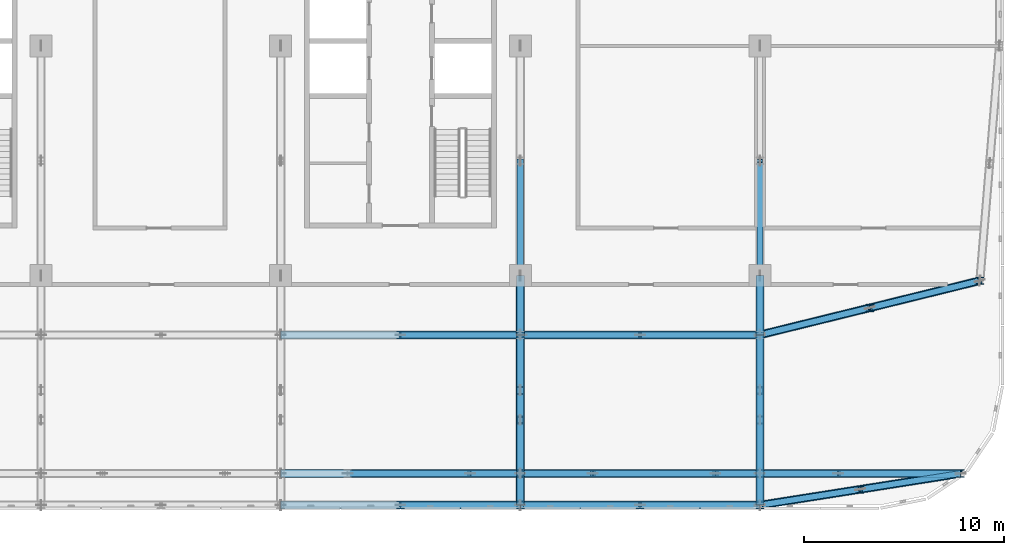
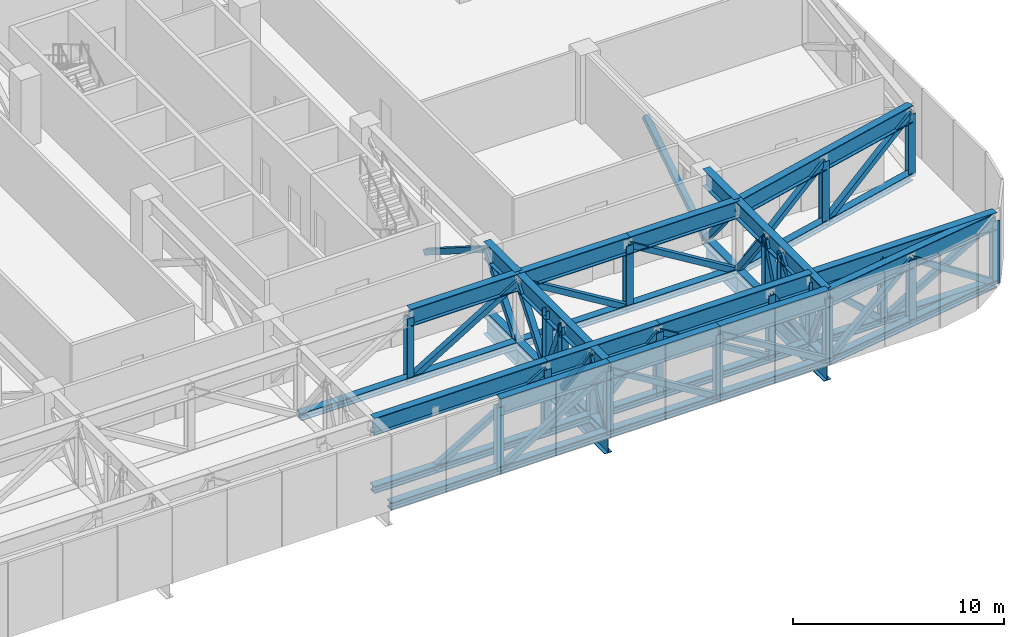
# One storey, part 10 of 28: 78 members, 4 beams.
"""IFC4 building model written with IfcOpenShell, lengths in metres."""

from ifc_helpers import new_model, si_unit, direction, frame, origin, origin_2d, place, context, subcontext, project, spatial, hollow_rectangle, i_section, extrude, material, material_profile, profile_set, type_object, element, save


model = new_model("IFC4")

# Units and contexts
model_context = context("Model", 3, precision=1e-05, world=origin(), true_north=direction((0.0, 1.0)))
body_context = subcontext(model_context, "Body", "Model", "MODEL_VIEW")
ifc_project = project(units=[si_unit("LENGTHUNIT", "METRE"), si_unit("AREAUNIT", "SQUARE_METRE"), si_unit("VOLUMEUNIT", "CUBIC_METRE"), si_unit("PLANEANGLEUNIT", "RADIAN"), si_unit("MASSUNIT", "GRAM", prefix="KILO")], contexts=[model_context])

# Site, building, storey
site_placement = place(None, origin())
site = spatial("IfcSite", under=ifc_project, at=site_placement, CompositionType="ELEMENT")
building_placement = place(site_placement, origin())
building = spatial("IfcBuilding", under=site, at=building_placement, Name="Mahtab Terrace Research Tower", CompositionType="ELEMENT")
storey_placement = place(building_placement, frame((0.0, 0.0, 224.300048828125)))
storey = spatial("IfcBuildingStorey", under=building, at=storey_placement, Name="L54", CompositionType="ELEMENT", Elevation=224.300048828125)

# Members
ifc_material_1 = material(Name="Steel ASTM A500 Gr C", Category="steel")
ifc_material_profile_1 = material_profile(ifc_material_1, hollow_rectangle(XDim=0.3046875, YDim=0.3046875, WallThickness=0.0126953125, at=origin_2d()), Name="HSS12X12X1/2")
ifc_profile_set_1 = profile_set([ifc_material_profile_1], Name="Steel ASTM A500 Gr C")
member_type_1 = type_object("IfcMemberType", Name="HSS 12x12x1/2 brace TD121212", PredefinedType="BRACE", material=ifc_profile_set_1)
member_1_placement = place(storey_placement, frame((21.35400390625, -21.416015625, -0.18798828125), z_axis=(0.8598181713, 0.0, 0.510600344989), x_axis=(0.0, 1.0, 0.0)))
element("IfcMember", 1, at=member_1_placement, inside=storey, type_object=member_type_1, Name="Transfer truss T6 diagonal 103", PredefinedType="BRACE", context=body_context, shape_type="SweptSolid", body=[
    extrude(hollow_rectangle(XDim=0.3046875, YDim=0.3046875, WallThickness=0.0126953125, at=origin_2d()), origin(), (0.0, 0.0, 1.0), 7.1435546875),
])
member_2_placement = place(storey_placement, frame((24.0, -14.472900390625, -0.18798828125), z_axis=(0.854496522168, 0.0, 0.519457114306), x_axis=(0.0, 1.0, 0.0)))
element("IfcMember", 2, at=member_2_placement, inside=storey, type_object=member_type_1, Name="Transfer truss T6 diagonal 105", PredefinedType="BRACE", context=body_context, shape_type="SweptSolid", body=[
    extrude(hollow_rectangle(XDim=0.3046875, YDim=0.3046875, WallThickness=0.0126953125, at=origin_2d()), origin(), (0.0, 0.0, 1.0), 7.021728515625),
])
member_3_placement = place(storey_placement, frame((27.49609375, -21.416015625, -0.18798828125), z_axis=(0.565957242152, 0.0, 0.824434594165), x_axis=(0.0, 1.0, 0.0)))
element("IfcMember", 3, at=member_3_placement, inside=storey, type_object=member_type_1, Name="Transfer truss T6 diagonal 107", PredefinedType="BRACE", context=body_context, shape_type="SweptSolid", body=[
    extrude(hollow_rectangle(XDim=0.3046875, YDim=0.3046875, WallThickness=0.0126953125, at=origin_2d()), origin(), (0.0, 0.0, 1.0), 4.42431640625),
])
member_4_placement = place(storey_placement, frame((24.0, -23.0, -0.18798828125), z_axis=(0.854496522168, 0.0, 0.519457114306), x_axis=(0.0, 1.0, 0.0)))
element("IfcMember", 4, at=member_4_placement, inside=storey, type_object=member_type_1, Name="Transfer truss T6 diagonal 108", PredefinedType="BRACE", context=body_context, shape_type="SweptSolid", body=[
    extrude(hollow_rectangle(XDim=0.3046875, YDim=0.3046875, WallThickness=0.0126953125, at=origin_2d()), origin(), (0.0, 0.0, 1.0), 7.021728515625),
])
member_5_placement = place(storey_placement, frame((30.0, -23.0, -0.18798828125), z_axis=(0.0, 0.398330959805, 0.917241760094), x_axis=(-1.0, 0.0, 0.0)))
element("IfcMember", 5, at=member_5_placement, inside=storey, type_object=member_type_1, Name="Transfer truss T6 diagonal 109", PredefinedType="BRACE", context=body_context, shape_type="SweptSolid", body=[
    extrude(hollow_rectangle(XDim=0.3046875, YDim=0.3046875, WallThickness=0.0126953125, at=origin_2d()), origin(), (0.0, 0.0, 1.0), 3.9765625),
])
member_6_placement = place(storey_placement, frame((30.0, -18.736083984375, -0.18798828125), z_axis=(0.0, -0.5921000261, 0.805864479359), x_axis=(1.0, 0.0, 0.0)))
element("IfcMember", 6, at=member_6_placement, inside=storey, type_object=member_type_1, Name="Transfer truss T6 diagonal 110", PredefinedType="BRACE", context=body_context, shape_type="SweptSolid", body=[
    extrude(hollow_rectangle(XDim=0.3046875, YDim=0.3046875, WallThickness=0.0126953125, at=origin_2d()), origin(), (0.0, 0.0, 1.0), 4.526123046875),
])
member_7_placement = place(storey_placement, frame((30.0, -21.416015625, -0.18798828125), z_axis=(0.706086991338, 0.0, 0.70812510241), x_axis=(0.0, 1.0, 0.0)))
element("IfcMember", 7, at=member_7_placement, inside=storey, type_object=member_type_1, Name="Transfer truss T6 diagonal 111", PredefinedType="BRACE", context=body_context, shape_type="SweptSolid", body=[
    extrude(hollow_rectangle(XDim=0.3046875, YDim=0.3046875, WallThickness=0.0126953125, at=origin_2d()), origin(), (0.0, 0.0, 1.0), 5.15087890625),
])
member_8_placement = place(storey_placement, frame((30.0, -17.25, -0.18798828125), z_axis=(0.0, -0.377314608222, 0.926085139943), x_axis=(1.0, 0.0, 0.0)))
element("IfcMember", 8, at=member_8_placement, inside=storey, type_object=member_type_1, Name="Transfer truss T6 diagonal 112", PredefinedType="BRACE", context=body_context, shape_type="SweptSolid", body=[
    extrude(hollow_rectangle(XDim=0.3046875, YDim=0.3046875, WallThickness=0.0126953125, at=origin_2d()), origin(), (0.0, 0.0, 1.0), 3.9384765625),
])
member_9_placement = place(storey_placement, frame((30.0, -17.25, -0.18798828125), z_axis=(0.0, 0.605778433587, 0.795633388817), x_axis=(-1.0, 0.0, 0.0)))
element("IfcMember", 9, at=member_9_placement, inside=storey, type_object=member_type_1, Name="Transfer truss T6 diagonal 113", PredefinedType="BRACE", context=body_context, shape_type="SweptSolid", body=[
    extrude(hollow_rectangle(XDim=0.3046875, YDim=0.3046875, WallThickness=0.0126953125, at=origin_2d()), origin(), (0.0, 0.0, 1.0), 4.584228515625),
])
member_10_placement = place(storey_placement, frame((36.0, -14.472900390625, -0.18798828125), z_axis=(-0.854496522168, 0.0, 0.519457114306), x_axis=(0.0, -1.0, 0.0)))
element("IfcMember", 10, at=member_10_placement, inside=storey, type_object=member_type_1, Name="Transfer truss T6 diagonal 114", PredefinedType="BRACE", context=body_context, shape_type="SweptSolid", body=[
    extrude(hollow_rectangle(XDim=0.3046875, YDim=0.3046875, WallThickness=0.0126953125, at=origin_2d()), origin(), (0.0, 0.0, 1.0), 7.021728515625),
])
member_11_placement = place(storey_placement, frame((30.0, -14.472900390625, -0.18798828125), z_axis=(0.0, 0.631787276537, 0.77514181748), x_axis=(-1.0, 0.0, 0.0)))
element("IfcMember", 11, at=member_11_placement, inside=storey, type_object=member_type_1, Name="Transfer truss T6 diagonal 115", PredefinedType="BRACE", context=body_context, shape_type="SweptSolid", body=[
    extrude(hollow_rectangle(XDim=0.3046875, YDim=0.3046875, WallThickness=0.0126953125, at=origin_2d()), origin(), (0.0, 0.0, 1.0), 4.70556640625),
])
member_12_placement = place(storey_placement, frame((30.0, -5.75, -0.18798828125), z_axis=(0.0, -0.844434215401, 0.535659272168), x_axis=(1.0, 0.0, 0.0)))
element("IfcMember", 12, at=member_12_placement, inside=storey, type_object=member_type_1, Name="Transfer truss T6 diagonal 116", PredefinedType="BRACE", context=body_context, shape_type="SweptSolid", body=[
    extrude(hollow_rectangle(XDim=0.3046875, YDim=0.3046875, WallThickness=0.0126953125, at=origin_2d()), origin(), (0.0, 0.0, 1.0), 6.809326171875),
])
member_13_placement = place(storey_placement, frame((39.779052734375, -21.416015625, -0.18798828125), z_axis=(-0.8598181713, 0.0, 0.510600344989), x_axis=(0.0, -1.0, 0.0)))
element("IfcMember", 13, at=member_13_placement, inside=storey, type_object=member_type_1, Name="Transfer truss T6 diagonal 122", PredefinedType="BRACE", context=body_context, shape_type="SweptSolid", body=[
    extrude(hollow_rectangle(XDim=0.3046875, YDim=0.3046875, WallThickness=0.0126953125, at=origin_2d()), origin(), (0.0, 0.0, 1.0), 7.1435546875),
])
for number, where, z_axis, x_axis, name in (
    (14, (36.0, -23.0, -0.18798828125), (-0.854496522168, 0.0, 0.519457114306), (0.0, -1.0, 0.0), "Transfer truss T6 diagonal 123"),
    (15, (42.0, -14.472900390625, -0.18798828125), (-0.854496522168, 0.0, 0.519457114306), (0.0, -1.0, 0.0), "Transfer truss T6 diagonal 124"),
):
    element("IfcMember", number, at=place(storey_placement, frame(where, z_axis=z_axis, x_axis=x_axis)), inside=storey, type_object=member_type_1, Name=name, PredefinedType="BRACE", context=body_context, shape_type="SweptSolid", body=[
        extrude(hollow_rectangle(XDim=0.3046875, YDim=0.3046875, WallThickness=0.0126953125, at=origin_2d()), origin(), (0.0, 0.0, 1.0), 7.021728515625),
    ])
member_14_placement = place(storey_placement, frame((42.0, -21.416015625, -0.18798828125), z_axis=(-0.520075711539, 0.0, 0.854120163834), x_axis=(0.0, -1.0, 0.0)))
element("IfcMember", 16, at=member_14_placement, inside=storey, type_object=member_type_1, Name="Transfer truss T6 diagonal 126", PredefinedType="BRACE", context=body_context, shape_type="SweptSolid", body=[
    extrude(hollow_rectangle(XDim=0.3046875, YDim=0.3046875, WallThickness=0.0126953125, at=origin_2d()), origin(), (0.0, 0.0, 1.0), 4.2705078125),
])
member_15_placement = place(storey_placement, frame((42.0, -23.0, -0.18798828125), z_axis=(-0.854496522168, 0.0, 0.519457114306), x_axis=(0.0, -1.0, 0.0)))
element("IfcMember", 17, at=member_15_placement, inside=storey, type_object=member_type_1, Name="Transfer truss T6 diagonal 127", PredefinedType="BRACE", context=body_context, shape_type="SweptSolid", body=[
    extrude(hollow_rectangle(XDim=0.3046875, YDim=0.3046875, WallThickness=0.0126953125, at=origin_2d()), origin(), (0.0, 0.0, 1.0), 7.021728515625),
])
member_16_placement = place(storey_placement, frame((42.0, -21.416015625, -0.18798828125), z_axis=(0.0, -0.398330959805, 0.917241760094), x_axis=(1.0, 0.0, 0.0)))
element("IfcMember", 18, at=member_16_placement, inside=storey, type_object=member_type_1, Name="Transfer truss T6 diagonal 128", PredefinedType="BRACE", context=body_context, shape_type="SweptSolid", body=[
    extrude(hollow_rectangle(XDim=0.3046875, YDim=0.3046875, WallThickness=0.0126953125, at=origin_2d()), origin(), (0.0, 0.0, 1.0), 3.9765625),
])
member_17_placement = place(storey_placement, frame((42.0, -21.416015625, -0.18798828125), z_axis=(0.0, 0.5921000261, 0.805864479359), x_axis=(-1.0, 0.0, 0.0)))
element("IfcMember", 19, at=member_17_placement, inside=storey, type_object=member_type_1, Name="Transfer truss T6 diagonal 129", PredefinedType="BRACE", context=body_context, shape_type="SweptSolid", body=[
    extrude(hollow_rectangle(XDim=0.3046875, YDim=0.3046875, WallThickness=0.0126953125, at=origin_2d()), origin(), (0.0, 0.0, 1.0), 4.526123046875),
])
member_18_placement = place(storey_placement, frame((45.919921875, -21.416015625, -0.18798828125), z_axis=(-0.732091546272, 0.0, 0.681206259423), x_axis=(0.0, -1.0, 0.0)))
element("IfcMember", 20, at=member_18_placement, inside=storey, type_object=member_type_1, Name="Transfer truss T6 diagonal 130", PredefinedType="BRACE", context=body_context, shape_type="SweptSolid", body=[
    extrude(hollow_rectangle(XDim=0.3046875, YDim=0.3046875, WallThickness=0.0126953125, at=origin_2d()), origin(), (0.0, 0.0, 1.0), 5.3544921875),
])
member_19_placement = place(storey_placement, frame((42.0, -18.736083984375, -0.18798828125), z_axis=(0.0, 0.377314608222, 0.926085139943), x_axis=(-1.0, 0.0, 0.0)))
element("IfcMember", 21, at=member_19_placement, inside=storey, type_object=member_type_1, Name="Transfer truss T6 diagonal 131", PredefinedType="BRACE", context=body_context, shape_type="SweptSolid", body=[
    extrude(hollow_rectangle(XDim=0.3046875, YDim=0.3046875, WallThickness=0.0126953125, at=origin_2d()), origin(), (0.0, 0.0, 1.0), 3.9384765625),
])
member_20_placement = place(storey_placement, frame((42.0, -14.472900390625, -0.18798828125), z_axis=(0.0, -0.605778433587, 0.795633388817), x_axis=(1.0, 0.0, 0.0)))
element("IfcMember", 22, at=member_20_placement, inside=storey, type_object=member_type_1, Name="Transfer truss T6 diagonal 132", PredefinedType="BRACE", context=body_context, shape_type="SweptSolid", body=[
    extrude(hollow_rectangle(XDim=0.3046875, YDim=0.3046875, WallThickness=0.0126953125, at=origin_2d()), origin(), (0.0, 0.0, 1.0), 4.584228515625),
])
member_21_placement = place(storey_placement, frame((42.0, -14.472900390625, -0.18798828125), z_axis=(0.816857471195, 0.201129394626, 0.540639286743), x_axis=(-0.239082692179, 0.970999210247, 0.0)))
element("IfcMember", 23, at=member_21_placement, inside=storey, type_object=member_type_1, Name="Transfer truss T6 diagonal 133", PredefinedType="BRACE", context=body_context, shape_type="SweptSolid", body=[
    extrude(hollow_rectangle(XDim=0.3046875, YDim=0.3046875, WallThickness=0.0126953125, at=origin_2d()), origin(), (0.0, 0.0, 1.0), 6.74658203125),
])
member_22_placement = place(storey_placement, frame((42.0, -11.5, -0.18798828125), z_axis=(0.0, -0.631787276537, 0.77514181748), x_axis=(1.0, 0.0, 0.0)))
element("IfcMember", 24, at=member_22_placement, inside=storey, type_object=member_type_1, Name="Transfer truss T6 diagonal 134", PredefinedType="BRACE", context=body_context, shape_type="SweptSolid", body=[
    extrude(hollow_rectangle(XDim=0.3046875, YDim=0.3046875, WallThickness=0.0126953125, at=origin_2d()), origin(), (0.0, 0.0, 1.0), 4.70556640625),
])
member_23_placement = place(storey_placement, frame((42.0, -11.5, -0.18798828125), z_axis=(0.0, 0.844434215401, 0.535659272168), x_axis=(-1.0, 0.0, 0.0)))
element("IfcMember", 25, at=member_23_placement, inside=storey, type_object=member_type_1, Name="Transfer truss T6 diagonal 135", PredefinedType="BRACE", context=body_context, shape_type="SweptSolid", body=[
    extrude(hollow_rectangle(XDim=0.3046875, YDim=0.3046875, WallThickness=0.0126953125, at=origin_2d()), origin(), (0.0, 0.0, 1.0), 6.809326171875),
])
member_24_placement = place(storey_placement, frame((45.919921875, -21.416015625, -0.18798828125), z_axis=(0.8598181713, 0.0, 0.510600344989), x_axis=(0.0, 1.0, 0.0)))
element("IfcMember", 26, at=member_24_placement, inside=storey, type_object=member_type_1, Name="Transfer truss T6 diagonal 141", PredefinedType="BRACE", context=body_context, shape_type="SweptSolid", body=[
    extrude(hollow_rectangle(XDim=0.3046875, YDim=0.3046875, WallThickness=0.0126953125, at=origin_2d()), origin(), (0.0, 0.0, 1.0), 7.1435546875),
])
member_25_placement = place(storey_placement, frame((42.0, -23.0, -0.18798828125), z_axis=(0.803115323704, 0.126428209351, 0.582255686715), x_axis=(-0.155507156777, 0.987834765632, 0.0)))
element("IfcMember", 27, at=member_25_placement, inside=storey, type_object=member_type_1, Name="Transfer truss T6 diagonal 142", PredefinedType="BRACE", context=body_context, shape_type="SweptSolid", body=[
    extrude(hollow_rectangle(XDim=0.3046875, YDim=0.3046875, WallThickness=0.0126953125, at=origin_2d()), origin(), (0.0, 0.0, 1.0), 6.264404296875),
])
member_26_placement = place(storey_placement, frame((47.510986328125, -13.115966796875, -0.18798828125), z_axis=(0.816785504932, 0.201292081104, 0.540687467043), x_axis=(-0.239284885489, 0.970949403201, 0.0)))
element("IfcMember", 28, at=member_26_placement, inside=storey, type_object=member_type_1, Name="Transfer truss T6 diagonal 143", PredefinedType="BRACE", context=body_context, shape_type="SweptSolid", body=[
    extrude(hollow_rectangle(XDim=0.3046875, YDim=0.3046875, WallThickness=0.0126953125, at=origin_2d()), origin(), (0.0, 0.0, 1.0), 6.745849609375),
])
member_27_placement = place(storey_placement, frame((52.06201171875, -21.416015625, -0.18798828125), z_axis=(-0.803115323704, -0.126428209351, 0.582255686715), x_axis=(0.155507156777, -0.987834765632, 0.0)))
element("IfcMember", 29, at=member_27_placement, inside=storey, type_object=member_type_1, Name="Transfer truss T6 diagonal 145", PredefinedType="BRACE", context=body_context, shape_type="SweptSolid", body=[
    extrude(hollow_rectangle(XDim=0.3046875, YDim=0.3046875, WallThickness=0.0126953125, at=origin_2d()), origin(), (0.0, 0.0, 1.0), 6.264404296875),
])
ifc_material_2 = material(Name="Steel ASTM A992 Gr 50", Category="steel")
ifc_material_profile_2 = material_profile(ifc_material_2, i_section(OverallWidth=0.373291015625, OverallDepth=0.373291015625, WebThickness=0.016357421875, FlangeThickness=0.026123046875, at=origin_2d()), Name="W14X132")
ifc_profile_set_2 = profile_set([ifc_material_profile_2], Name="Steel ASTM A992 Gr 50")
member_type_2 = type_object("IfcMemberType", Name="W14x132 post TP14132", PredefinedType="POST", material=ifc_profile_set_2)
for number, where, z_axis, x_axis, name in (
    (30, (24.0, -23.0, -0.18798828125), (0.0, 0.0, 1.0), (1.0, 0.0, 0.0), "Transfer truss T6 post 094"),
    (31, (24.0, -14.469970703125, -0.18798828125), (0.0, 0.0, 1.0), (1.0, 0.0, 0.0), "Transfer truss T6 post 095"),
    (32, (27.5, -21.419921875, -0.18798828125), (0.0, 0.0, 1.0), (1.0, 0.0, 0.0), "Transfer truss T6 post 097"),
    (33, (30.0, -23.0, -0.18798828125), (0.0, 0.0, 1.0), (1.0, 0.0, 0.0), "Transfer truss T6 post 098"),
    (34, (30.0, -21.419921875, -0.18798828125), (0.0, 0.0, 1.0), (1.0, 0.0, 0.0), "Transfer truss T6 post 099"),
    (35, (30.0, -18.739990234375, -0.18798828125), (0.0, 0.0, 1.0), (1.0, 0.0, 0.0), "Transfer truss T6 post 100"),
    (36, (30.0, -17.25, -0.18798828125), (0.0, 0.0, 1.0), (1.0, 0.0, 0.0), "Transfer truss T6 post 101"),
    (37, (33.639892578125, -21.419921875, -0.18798828125), (0.0, 0.0, 1.0), (1.0, 0.0, 0.0), "Transfer truss T6 post 110"),
    (38, (36.0, -23.0, -0.18798828125), (0.0, 0.0, 1.0), (1.0, 0.0, 0.0), "Transfer truss T6 post 111"),
    (39, (36.0, -14.469970703125, -0.18798828125), (0.0, 0.0, 1.0), (1.0, 0.0, 0.0), "Transfer truss T6 post 112"),
    (40, (39.780029296875, -21.419921875, -0.18798828125), (0.0, 0.0, 1.0), (1.0, 0.0, 0.0), "Transfer truss T6 post 114"),
    (41, (42.0, -23.0, -0.18798828125), (0.0, 0.0, 1.0), (1.0, 0.0, 0.0), "Transfer truss T6 post 115"),
    (42, (42.0, -21.419921875, -0.18798828125), (0.0, 0.0, 1.0), (1.0, 0.0, 0.0), "Transfer truss T6 post 116"),
    (43, (42.0, -18.739990234375, -0.18798828125), (0.0, 0.0, 1.0), (1.0, 0.0, 0.0), "Transfer truss T6 post 117"),
    (44, (42.0, -17.25, -0.18798828125), (0.0, 0.0, 1.0), (1.0, 0.0, 0.0), "Transfer truss T6 post 118"),
    (45, (45.919921875, -21.419921875, -0.18798828125), (0.0, 0.0, 1.0), (1.0, 0.0, 0.0), "Transfer truss T6 post 127"),
    (46, (47.030029296875, -22.2099609375, -0.18798828125), (0.0, 0.0, 1.0), (1.0, 0.0, 0.0), "Transfer truss T6 post 128"),
    (47, (47.510009765625, -13.1201171875, -0.18798828125), (0.0, 0.0, 1.0), (1.0, 0.0, 0.0), "Transfer truss T6 post 129"),
    (48, (52.06005859375, -21.419921875, -0.18798828125), (0.0, 0.0, 1.0), (1.0, 0.0, 0.0), "Transfer truss T6 post 131"),
    (49, (53.02001953125, -11.760009765625, -0.18798828125), (0.0, 0.0, 1.0), (1.0, 0.0, 0.0), "Transfer truss T6 post 132"),
):
    element("IfcMember", number, at=place(storey_placement, frame(where, z_axis=z_axis, x_axis=x_axis)), inside=storey, type_object=member_type_2, Name=name, PredefinedType="POST", context=body_context, shape_type="SweptSolid", body=[
        extrude(i_section(OverallWidth=0.373291015625, OverallDepth=0.373291015625, WebThickness=0.016357421875, FlangeThickness=0.026123046875, at=origin_2d()), origin(), (0.0, 0.0, 1.0), 3.6474609375),
    ])
ifc_material_profile_3 = material_profile(ifc_material_2, i_section(OverallWidth=0.408935546875, OverallDepth=0.42431640625, WebThickness=0.03271484375, FlangeThickness=0.052490234375, at=origin_2d()), Name="W14X283")
ifc_profile_set_3 = profile_set([ifc_material_profile_3], Name="Steel ASTM A992 Gr 50")
member_type_3 = type_object("IfcMemberType", Name="W14x283 chord TC14283", PredefinedType="CHORD", material=ifc_profile_set_3)
for number, where, z_axis, x_axis, name in (
    (50, (18.0, -21.416015625, -0.18798828125), (1.0, 0.0, 0.0), (0.0, 1.0, 0.0), "Transfer truss T6 bottom chord 012"),
    (51, (30.0, -21.416015625, -0.18798828125), (1.0, 0.0, 0.0), (0.0, 1.0, 0.0), "Transfer truss T6 bottom chord 013"),
):
    element("IfcMember", number, at=place(storey_placement, frame(where, z_axis=z_axis, x_axis=x_axis)), inside=storey, type_object=member_type_3, Name=name, PredefinedType="CHORD", context=body_context, shape_type="SweptSolid", body=[
        extrude(i_section(OverallWidth=0.408935546875, OverallDepth=0.42431640625, WebThickness=0.03271484375, FlangeThickness=0.052490234375, at=origin_2d()), origin(), (0.0, 0.0, 1.0), 12.0),
    ])
member_28_placement = place(storey_placement, frame((42.0, -21.416015625, -0.18798828125), z_axis=(1.0, 0.0, 0.0), x_axis=(0.0, 1.0, 0.0)))
element("IfcMember", 52, at=member_28_placement, inside=storey, type_object=member_type_3, Name="Transfer truss T6 bottom chord 014", PredefinedType="CHORD", context=body_context, shape_type="SweptSolid", body=[
    extrude(i_section(OverallWidth=0.408935546875, OverallDepth=0.42431640625, WebThickness=0.03271484375, FlangeThickness=0.052490234375, at=origin_2d()), origin(), (0.0, 0.0, 1.0), 10.06201171875),
])
for number, where, z_axis, x_axis, name in (
    (53, (42.0, -23.0, -0.18798828125), (-1.0, 0.0, 0.0), (0.0, -1.0, 0.0), "Transfer truss T6 bottom chord 019"),
    (54, (30.0, -23.0, -0.18798828125), (-1.0, 0.0, 0.0), (0.0, -1.0, 0.0), "Transfer truss T6 bottom chord 020"),
    (55, (18.0, -14.472900390625, -0.18798828125), (1.0, 0.0, 0.0), (0.0, 1.0, 0.0), "Transfer truss T6 bottom chord 029"),
    (56, (30.0, -14.472900390625, -0.18798828125), (1.0, 0.0, 0.0), (0.0, 1.0, 0.0), "Transfer truss T6 bottom chord 030"),
):
    element("IfcMember", number, at=place(storey_placement, frame(where, z_axis=z_axis, x_axis=x_axis)), inside=storey, type_object=member_type_3, Name=name, PredefinedType="CHORD", context=body_context, shape_type="SweptSolid", body=[
        extrude(i_section(OverallWidth=0.408935546875, OverallDepth=0.42431640625, WebThickness=0.03271484375, FlangeThickness=0.052490234375, at=origin_2d()), origin(), (0.0, 0.0, 1.0), 12.0),
    ])
member_29_placement = place(storey_placement, frame((30.0, -23.0, -0.18798828125), z_axis=(0.0, 1.0, 0.0), x_axis=(-1.0, 0.0, 0.0)))
element("IfcMember", 57, at=member_29_placement, inside=storey, type_object=member_type_3, Name="Transfer truss T6 bottom chord 059", PredefinedType="CHORD", context=body_context, shape_type="SweptSolid", body=[
    extrude(i_section(OverallWidth=0.408935546875, OverallDepth=0.42431640625, WebThickness=0.03271484375, FlangeThickness=0.052490234375, at=origin_2d()), origin(), (0.0, 0.0, 1.0), 8.527099609375),
])
member_30_placement = place(storey_placement, frame((30.0, -14.472900390625, -0.18798828125), z_axis=(0.0, 1.0, 0.0), x_axis=(-1.0, 0.0, 0.0)))
element("IfcMember", 58, at=member_30_placement, inside=storey, type_object=member_type_3, Name="Transfer truss T6 bottom chord 060", PredefinedType="CHORD", context=body_context, shape_type="SweptSolid", body=[
    extrude(i_section(OverallWidth=0.408935546875, OverallDepth=0.42431640625, WebThickness=0.03271484375, FlangeThickness=0.052490234375, at=origin_2d()), origin(), (0.0, 0.0, 1.0), 2.972900390625),
])
member_31_placement = place(storey_placement, frame((42.0, -23.0, -0.18798828125), z_axis=(0.0, 1.0, 0.0), x_axis=(-1.0, 0.0, 0.0)))
element("IfcMember", 59, at=member_31_placement, inside=storey, type_object=member_type_3, Name="Transfer truss T6 bottom chord 064", PredefinedType="CHORD", context=body_context, shape_type="SweptSolid", body=[
    extrude(i_section(OverallWidth=0.408935546875, OverallDepth=0.42431640625, WebThickness=0.03271484375, FlangeThickness=0.052490234375, at=origin_2d()), origin(), (0.0, 0.0, 1.0), 8.527099609375),
])
member_32_placement = place(storey_placement, frame((42.0, -14.472900390625, -0.18798828125), z_axis=(0.0, 1.0, 0.0), x_axis=(-1.0, 0.0, 0.0)))
element("IfcMember", 60, at=member_32_placement, inside=storey, type_object=member_type_3, Name="Transfer truss T6 bottom chord 065", PredefinedType="CHORD", context=body_context, shape_type="SweptSolid", body=[
    extrude(i_section(OverallWidth=0.408935546875, OverallDepth=0.42431640625, WebThickness=0.03271484375, FlangeThickness=0.052490234375, at=origin_2d()), origin(), (0.0, 0.0, 1.0), 2.972900390625),
])
member_33_placement = place(storey_placement, frame((52.06201171875, -21.416015625, -0.18798828125), z_axis=(-0.987834765632, -0.155507156777, 0.0), x_axis=(0.155507156777, -0.987834765632, 0.0)))
element("IfcMember", 61, at=member_33_placement, inside=storey, type_object=member_type_3, Name="Transfer truss T6 bottom chord 067", PredefinedType="CHORD", context=body_context, shape_type="SweptSolid", body=[
    extrude(i_section(OverallWidth=0.408935546875, OverallDepth=0.42431640625, WebThickness=0.03271484375, FlangeThickness=0.052490234375, at=origin_2d()), origin(), (0.0, 0.0, 1.0), 10.18603515625),
])
member_34_placement = place(storey_placement, frame((42.0, -14.472900390625, -0.18798828125), z_axis=(0.970974313555, 0.239183783765, 0.0), x_axis=(-0.239183783765, 0.970974313555, 0.0)))
element("IfcMember", 62, at=member_34_placement, inside=storey, type_object=member_type_3, Name="Transfer truss T6 bottom chord 068", PredefinedType="CHORD", context=body_context, shape_type="SweptSolid", body=[
    extrude(i_section(OverallWidth=0.408935546875, OverallDepth=0.42431640625, WebThickness=0.03271484375, FlangeThickness=0.052490234375, at=origin_2d()), origin(), (0.0, 0.0, 1.0), 11.350341796875),
])
ifc_material_profile_4 = material_profile(ifc_material_2, i_section(OverallWidth=0.4013671875, OverallDepth=1.000732421875, WebThickness=0.01904296875, FlangeThickness=0.0361328125, at=origin_2d()), Name="W40X249")
ifc_profile_set_4 = profile_set([ifc_material_profile_4], Name="Steel ASTM A992 Gr 50")
member_type_4 = type_object("IfcMemberType", Name="W40x249 chord TT40249", PredefinedType="CHORD", material=ifc_profile_set_4)
member_35_placement = place(storey_placement, frame((18.0, -21.416015625, 3.45947265625), z_axis=(1.0, 0.0, 0.0), x_axis=(0.0, 1.0, 0.0)))
element("IfcMember", 63, at=member_35_placement, inside=storey, type_object=member_type_4, Name="Transfer truss T6 top chord 016", PredefinedType="CHORD", context=body_context, shape_type="SweptSolid", body=[
    extrude(i_section(OverallWidth=0.4013671875, OverallDepth=1.000732421875, WebThickness=0.01904296875, FlangeThickness=0.0361328125, at=origin_2d()), origin(), (0.0, 0.0, 1.0), 9.49609375),
])
member_36_placement = place(storey_placement, frame((27.49609375, -21.416015625, 3.45947265625), z_axis=(1.0, 0.0, 0.0), x_axis=(0.0, 1.0, 0.0)))
element("IfcMember", 64, at=member_36_placement, inside=storey, type_object=member_type_4, Name="Transfer truss T6 top chord 017", PredefinedType="CHORD", context=body_context, shape_type="SweptSolid", body=[
    extrude(i_section(OverallWidth=0.4013671875, OverallDepth=1.000732421875, WebThickness=0.01904296875, FlangeThickness=0.0361328125, at=origin_2d()), origin(), (0.0, 0.0, 1.0), 6.140869140625),
])
member_37_placement = place(storey_placement, frame((33.636962890625, -21.416015625, 3.45947265625), z_axis=(1.0, 0.0, 0.0), x_axis=(0.0, 1.0, 0.0)))
element("IfcMember", 65, at=member_37_placement, inside=storey, type_object=member_type_4, Name="Transfer truss T6 top chord 018", PredefinedType="CHORD", context=body_context, shape_type="SweptSolid", body=[
    extrude(i_section(OverallWidth=0.4013671875, OverallDepth=1.000732421875, WebThickness=0.01904296875, FlangeThickness=0.0361328125, at=origin_2d()), origin(), (0.0, 0.0, 1.0), 8.363037109375),
])
member_38_placement = place(storey_placement, frame((42.0, -21.416015625, 3.45947265625), z_axis=(1.0, 0.0, 0.0), x_axis=(0.0, 1.0, 0.0)))
element("IfcMember", 66, at=member_38_placement, inside=storey, type_object=member_type_4, Name="Transfer truss T6 top chord 019", PredefinedType="CHORD", context=body_context, shape_type="SweptSolid", body=[
    extrude(i_section(OverallWidth=0.4013671875, OverallDepth=1.000732421875, WebThickness=0.01904296875, FlangeThickness=0.0361328125, at=origin_2d()), origin(), (0.0, 0.0, 1.0), 10.06201171875),
])
for number, where, z_axis, x_axis, name in (
    (67, (42.0, -23.0, 3.45947265625), (-1.0, 0.0, 0.0), (0.0, -1.0, 0.0), "Transfer truss T6 top chord 024"),
    (68, (36.0, -23.0, 3.45947265625), (-1.0, 0.0, 0.0), (0.0, -1.0, 0.0), "Transfer truss T6 top chord 025"),
    (69, (30.0, -23.0, 3.45947265625), (-1.0, 0.0, 0.0), (0.0, -1.0, 0.0), "Transfer truss T6 top chord 026"),
    (70, (24.0, -14.472900390625, 3.45947265625), (1.0, 0.0, 0.0), (0.0, 1.0, 0.0), "Transfer truss T6 top chord 045"),
    (71, (30.0, -14.472900390625, 3.45947265625), (1.0, 0.0, 0.0), (0.0, 1.0, 0.0), "Transfer truss T6 top chord 046"),
    (72, (36.0, -14.472900390625, 3.45947265625), (1.0, 0.0, 0.0), (0.0, 1.0, 0.0), "Transfer truss T6 top chord 047"),
):
    element("IfcMember", number, at=place(storey_placement, frame(where, z_axis=z_axis, x_axis=x_axis)), inside=storey, type_object=member_type_4, Name=name, PredefinedType="CHORD", context=body_context, shape_type="SweptSolid", body=[
        extrude(i_section(OverallWidth=0.4013671875, OverallDepth=1.000732421875, WebThickness=0.01904296875, FlangeThickness=0.0361328125, at=origin_2d()), origin(), (0.0, 0.0, 1.0), 6.0),
    ])
member_39_placement = place(storey_placement, frame((30.0, -23.0, 3.45947265625), z_axis=(0.0, 1.0, 0.0), x_axis=(-1.0, 0.0, 0.0)))
element("IfcMember", 73, at=member_39_placement, inside=storey, type_object=member_type_4, Name="Transfer truss T6 top chord 082", PredefinedType="CHORD", context=body_context, shape_type="SweptSolid", body=[
    extrude(i_section(OverallWidth=0.4013671875, OverallDepth=1.000732421875, WebThickness=0.01904296875, FlangeThickness=0.0361328125, at=origin_2d()), origin(), (0.0, 0.0, 1.0), 8.527099609375),
])
member_40_placement = place(storey_placement, frame((30.0, -14.472900390625, 3.45947265625), z_axis=(0.0, 1.0, 0.0), x_axis=(-1.0, 0.0, 0.0)))
element("IfcMember", 74, at=member_40_placement, inside=storey, type_object=member_type_4, Name="Transfer truss T6 top chord 083", PredefinedType="CHORD", context=body_context, shape_type="SweptSolid", body=[
    extrude(i_section(OverallWidth=0.4013671875, OverallDepth=1.000732421875, WebThickness=0.01904296875, FlangeThickness=0.0361328125, at=origin_2d()), origin(), (0.0, 0.0, 1.0), 2.972900390625),
])
member_41_placement = place(storey_placement, frame((42.0, -23.0, 3.45947265625), z_axis=(0.0, 1.0, 0.0), x_axis=(-1.0, 0.0, 0.0)))
element("IfcMember", 75, at=member_41_placement, inside=storey, type_object=member_type_4, Name="Transfer truss T6 top chord 087", PredefinedType="CHORD", context=body_context, shape_type="SweptSolid", body=[
    extrude(i_section(OverallWidth=0.4013671875, OverallDepth=1.000732421875, WebThickness=0.01904296875, FlangeThickness=0.0361328125, at=origin_2d()), origin(), (0.0, 0.0, 1.0), 8.527099609375),
])
member_42_placement = place(storey_placement, frame((42.0, -14.472900390625, 3.45947265625), z_axis=(0.0, 1.0, 0.0), x_axis=(-1.0, 0.0, 0.0)))
element("IfcMember", 76, at=member_42_placement, inside=storey, type_object=member_type_4, Name="Transfer truss T6 top chord 088", PredefinedType="CHORD", context=body_context, shape_type="SweptSolid", body=[
    extrude(i_section(OverallWidth=0.4013671875, OverallDepth=1.000732421875, WebThickness=0.01904296875, FlangeThickness=0.0361328125, at=origin_2d()), origin(), (0.0, 0.0, 1.0), 2.972900390625),
])
member_43_placement = place(storey_placement, frame((52.06201171875, -21.416015625, 3.45947265625), z_axis=(-0.987834765632, -0.155507156777, 0.0), x_axis=(0.155507156777, -0.987834765632, 0.0)))
element("IfcMember", 77, at=member_43_placement, inside=storey, type_object=member_type_4, Name="Transfer truss T6 top chord 090", PredefinedType="CHORD", context=body_context, shape_type="SweptSolid", body=[
    extrude(i_section(OverallWidth=0.4013671875, OverallDepth=1.000732421875, WebThickness=0.01904296875, FlangeThickness=0.0361328125, at=origin_2d()), origin(), (0.0, 0.0, 1.0), 10.18603515625),
])
member_44_placement = place(storey_placement, frame((42.0, -14.472900390625, 3.45947265625), z_axis=(0.970974313555, 0.239183783765, 0.0), x_axis=(-0.239183783765, 0.970974313555, 0.0)))
element("IfcMember", 78, at=member_44_placement, inside=storey, type_object=member_type_4, Name="Transfer truss T6 top chord 091", PredefinedType="CHORD", context=body_context, shape_type="SweptSolid", body=[
    extrude(i_section(OverallWidth=0.4013671875, OverallDepth=1.000732421875, WebThickness=0.01904296875, FlangeThickness=0.0361328125, at=origin_2d()), origin(), (0.0, 0.0, 1.0), 11.350341796875),
])

# Beams
ifc_material_profile_5 = material_profile(ifc_material_2, i_section(OverallWidth=0.4013671875, OverallDepth=1.000732421875, WebThickness=0.01904296875, FlangeThickness=0.0361328125, at=origin_2d()), Name="W40X249")
ifc_profile_set_5 = profile_set([ifc_material_profile_5], Name="Steel ASTM A992 Gr 50")
beam_type = type_object("IfcBeamType", Name="W40x249 transfer girder TG40249", PredefinedType="BEAM", material=ifc_profile_set_5)
beam_1_placement = place(storey_placement, frame((30.0, -23.0, -0.8984375), z_axis=(0.0, 1.0, 0.0), x_axis=(-1.0, 0.0, 0.0)))
element("IfcBeam", 79, at=beam_1_placement, inside=storey, type_object=beam_type, Name="Transfer girder T6 25", PredefinedType="BEAM", context=body_context, shape_type="SweptSolid", body=[
    extrude(i_section(OverallWidth=0.4013671875, OverallDepth=1.000732421875, WebThickness=0.01904296875, FlangeThickness=0.0361328125, at=origin_2d()), origin(), (0.0, 0.0, 1.0), 8.527099609375),
])
beam_2_placement = place(storey_placement, frame((30.0, -14.472900390625, -0.8984375), z_axis=(0.0, 1.0, 0.0), x_axis=(-1.0, 0.0, 0.0)))
element("IfcBeam", 80, at=beam_2_placement, inside=storey, type_object=beam_type, Name="Transfer girder T6 26", PredefinedType="BEAM", context=body_context, shape_type="SweptSolid", body=[
    extrude(i_section(OverallWidth=0.4013671875, OverallDepth=1.000732421875, WebThickness=0.01904296875, FlangeThickness=0.0361328125, at=origin_2d()), origin(), (0.0, 0.0, 1.0), 2.972900390625),
])
beam_3_placement = place(storey_placement, frame((42.0, -23.0, -0.8984375), z_axis=(0.0, 1.0, 0.0), x_axis=(-1.0, 0.0, 0.0)))
element("IfcBeam", 81, at=beam_3_placement, inside=storey, type_object=beam_type, Name="Transfer girder T6 27", PredefinedType="BEAM", context=body_context, shape_type="SweptSolid", body=[
    extrude(i_section(OverallWidth=0.4013671875, OverallDepth=1.000732421875, WebThickness=0.01904296875, FlangeThickness=0.0361328125, at=origin_2d()), origin(), (0.0, 0.0, 1.0), 8.527099609375),
])
beam_4_placement = place(storey_placement, frame((42.0, -14.472900390625, -0.8984375), z_axis=(0.0, 1.0, 0.0), x_axis=(-1.0, 0.0, 0.0)))
element("IfcBeam", 82, at=beam_4_placement, inside=storey, type_object=beam_type, Name="Transfer girder T6 28", PredefinedType="BEAM", context=body_context, shape_type="SweptSolid", body=[
    extrude(i_section(OverallWidth=0.4013671875, OverallDepth=1.000732421875, WebThickness=0.01904296875, FlangeThickness=0.0361328125, at=origin_2d()), origin(), (0.0, 0.0, 1.0), 2.972900390625),
])

save(model, "model.ifc")
